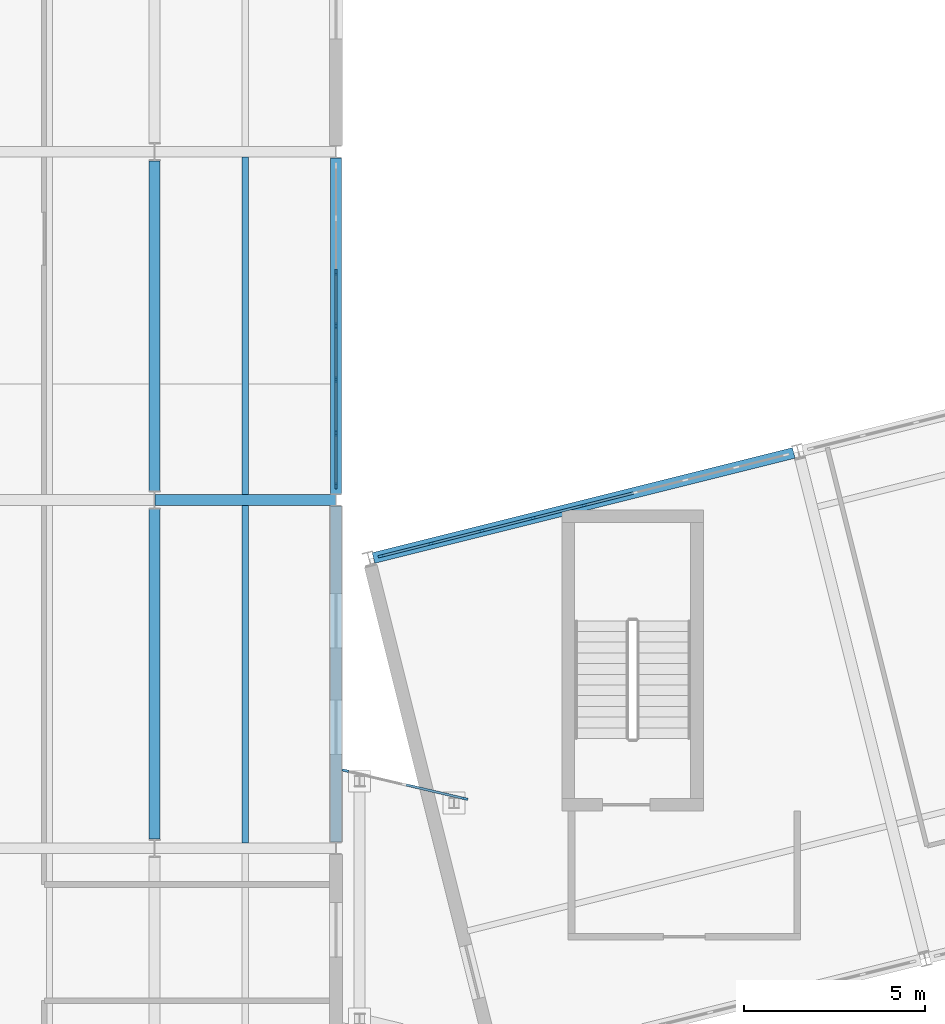
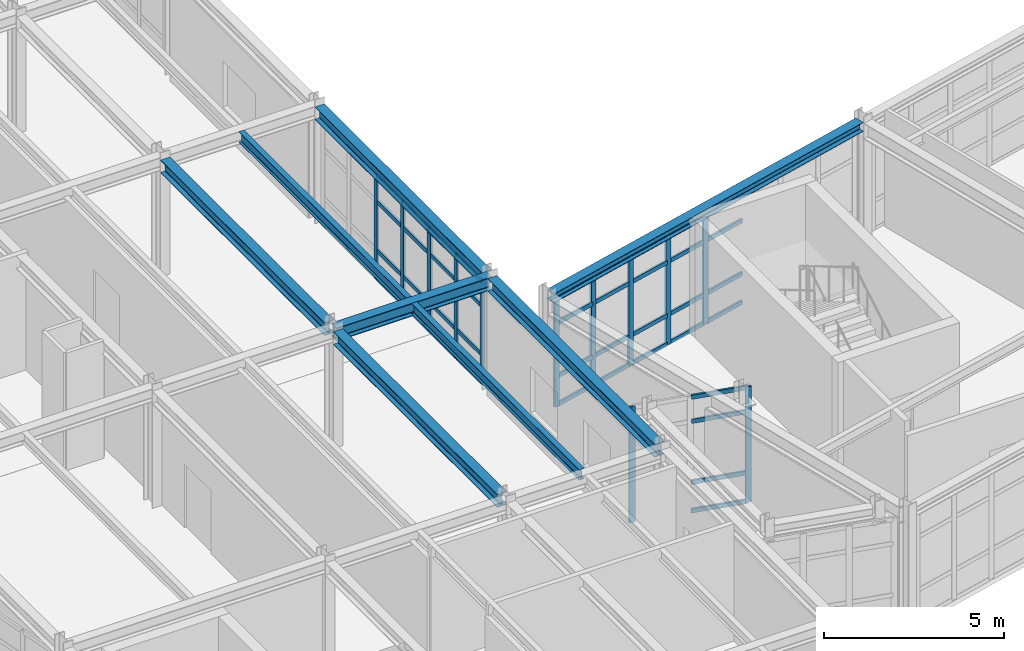
# One storey, part 17 of 76: 51 members, 8 beams, 3 elements without a shape of their own.
"""IFC4 building model written with IfcOpenShell, lengths in metres."""

from ifc_helpers import new_model, si_unit, direction, frame, origin, origin_2d, place, context, subcontext, project, spatial, rectangle, i_section, extrude, material, layer, layer_set, material_profile, profile_set, type_object, element, aggregate, save


model = new_model("IFC4")

# Units and contexts
model_context = context("Model", 3, precision=1e-05, world=origin(), true_north=direction((0.0, 1.0)))
body_context = subcontext(model_context, "Body", "Model", "MODEL_VIEW")
ifc_project = project(units=[si_unit("LENGTHUNIT", "METRE"), si_unit("AREAUNIT", "SQUARE_METRE"), si_unit("VOLUMEUNIT", "CUBIC_METRE"), si_unit("PLANEANGLEUNIT", "RADIAN"), si_unit("MASSUNIT", "GRAM", prefix="KILO")], contexts=[model_context])

# Site, building, storey
site_placement = place(None, origin())
site = spatial("IfcSite", under=ifc_project, at=site_placement, CompositionType="ELEMENT")
building_placement = place(site_placement, origin())
building = spatial("IfcBuilding", under=site, at=building_placement, Name="Nordkorset Police Headquarters", CompositionType="ELEMENT")
storey_placement = place(building_placement, frame((0.0, 0.0, 13.64990234375)))
storey = spatial("IfcBuildingStorey", under=building, at=storey_placement, Name="L03", CompositionType="ELEMENT", Elevation=13.64990234375)

# Beams
ifc_material_1 = material(Name="Steel S355J2", Category="steel")
ifc_material_profile_1 = material_profile(ifc_material_1, i_section(OverallWidth=0.169921875, OverallDepth=0.360107421875, WebThickness=0.008056640625, FlangeThickness=0.0126953125, FilletRadius=0.01806640625, at=origin_2d()), Name="IPE 360")
ifc_profile_set_1 = profile_set([ifc_material_profile_1], Name="Steel S355J2")
beam_type_1 = type_object("IfcBeamType", Name="Beam_IPE_360", PredefinedType="BEAM", material=ifc_profile_set_1)
for number, where, z_axis, x_axis, name in (
    (1, (16.699951171875, 48.14990234375, 3.78515625), (0.0, 1.0, 0.0), (-1.0, 0.0, 0.0), "Composite Floor Beam V3 L03 2-2-1"),
    (2, (16.699951171875, 57.75, 3.78515625), (0.0, 1.0, 0.0), (-1.0, 0.0, 0.0), "Composite Floor Beam V3 L03 2-3-1"),
):
    element("IfcBeam", number, at=place(storey_placement, frame(where, z_axis=z_axis, x_axis=x_axis)), inside=storey, type_object=beam_type_1, Name=name, PredefinedType="BEAM", context=body_context, shape_type="SweptSolid", body=[
        extrude(i_section(OverallWidth=0.169921875, OverallDepth=0.360107421875, WebThickness=0.008056640625, FlangeThickness=0.0126953125, FilletRadius=0.01806640625, at=origin_2d()), origin(), (0.0, 0.0, 1.0), 9.300048828125),
    ])

# Curtain wall, members
ifc_material_2 = material(Name="Aluminium alloy AW-6060", Category="aluminium")
ifc_layer_1 = layer(ifc_material_2, 0.179931640625, Name="Aluminium alloy AW-6060")
ifc_layer_set_1 = layer_set([ifc_layer_1], Name="Aluminium alloy AW-6060")
curtain_wall_type_1 = type_object("IfcCurtainWallType", Name="CW_Unit_888x350", PredefinedType="USERDEFINED", material=ifc_layer_set_1)
curtain_wall_1_placement = place(storey_placement, origin())
curtain_wall_1 = element("IfcCurtainWall", 3, at=curtain_wall_1_placement, inside=storey, type_object=curtain_wall_type_1, Name="Unitised Curtain Wall L03 V3E-3", ObjectType="UNITISED CURTAIN WALL", PredefinedType="USERDEFINED")
ifc_material_3 = material(Name="Aluminium alloy AW-6060", Category="aluminium")
ifc_material_profile_2 = material_profile(ifc_material_3, rectangle(XDim=0.06494140625, YDim=0.179931640625, at=origin_2d()), Name="ALU MULL 65x180")
ifc_profile_set_2 = profile_set([ifc_material_profile_2], Name="Aluminium alloy AW-6060")
member_type_1 = type_object("IfcMemberType", Name="CW_Mullion_65x180", PredefinedType="MULLION", material=ifc_profile_set_2)
member_1_placement = place(storey_placement, frame((19.199951171875, 57.992431640625, 0.0), z_axis=(0.0, 0.0, 1.0), x_axis=(-1.0, 0.0, 0.0)))
member_1 = element("IfcMember", 4, at=member_1_placement, type_object=member_type_1, Name="CW-95 mullion 1", PredefinedType="MULLION", context=body_context, shape_type="SweptSolid", body=[
    extrude(rectangle(XDim=0.06494140625, YDim=0.179931640625, at=origin_2d()), origin(), (0.0, 0.0, 1.0), 3.505126953125),
])
member_2_placement = place(storey_placement, frame((19.199951171875, 59.43994140625, 0.0), z_axis=(0.0, 0.0, 1.0), x_axis=(-1.0, 0.0, 0.0)))
member_2 = element("IfcMember", 5, at=member_2_placement, type_object=member_type_1, Name="CW-95 mullion 2", PredefinedType="MULLION", context=body_context, shape_type="SweptSolid", body=[
    extrude(rectangle(XDim=0.06494140625, YDim=0.179931640625, at=origin_2d()), origin(), (0.0, 0.0, 1.0), 3.505126953125),
])
member_3_placement = place(storey_placement, frame((19.199951171875, 60.919921875, 0.0), z_axis=(0.0, 0.0, 1.0), x_axis=(-1.0, 0.0, 0.0)))
member_3 = element("IfcMember", 6, at=member_3_placement, type_object=member_type_1, Name="CW-95 mullion 3", PredefinedType="MULLION", context=body_context, shape_type="SweptSolid", body=[
    extrude(rectangle(XDim=0.06494140625, YDim=0.179931640625, at=origin_2d()), origin(), (0.0, 0.0, 1.0), 3.505126953125),
])
member_4_placement = place(storey_placement, frame((19.199951171875, 62.39990234375, 0.0), z_axis=(0.0, 0.0, 1.0), x_axis=(-1.0, 0.0, 0.0)))
member_4 = element("IfcMember", 7, at=member_4_placement, type_object=member_type_1, Name="CW-95 mullion 4", PredefinedType="MULLION", context=body_context, shape_type="SweptSolid", body=[
    extrude(rectangle(XDim=0.06494140625, YDim=0.179931640625, at=origin_2d()), origin(), (0.0, 0.0, 1.0), 3.505126953125),
])
member_5_placement = place(storey_placement, frame((19.199951171875, 63.8798828125, 0.0), z_axis=(0.0, 0.0, 1.0), x_axis=(-1.0, 0.0, 0.0)))
member_5 = element("IfcMember", 8, at=member_5_placement, type_object=member_type_1, Name="CW-95 mullion 5", PredefinedType="MULLION", context=body_context, shape_type="SweptSolid", body=[
    extrude(rectangle(XDim=0.06494140625, YDim=0.179931640625, at=origin_2d()), origin(), (0.0, 0.0, 1.0), 3.505126953125),
])

ifc_material_4 = material(Name="Aluminium alloy AW-6060", Category="aluminium")
ifc_layer_2 = layer(ifc_material_4, 0.179931640625, Name="Aluminium alloy AW-6060")
ifc_layer_set_2 = layer_set([ifc_layer_2], Name="Aluminium alloy AW-6060")
curtain_wall_type_2 = type_object("IfcCurtainWallType", Name="CW_Unit_1156x365", PredefinedType="USERDEFINED", material=ifc_layer_set_2)
curtain_wall_2_placement = place(storey_placement, origin())
curtain_wall_2 = element("IfcCurtainWall", 9, at=curtain_wall_2_placement, inside=storey, type_object=curtain_wall_type_2, Name="Unitised Curtain Wall L03 V4N-0", ObjectType="UNITISED CURTAIN WALL", PredefinedType="USERDEFINED")
member_6_placement = place(storey_placement, frame((20.449462890625, 56.0556640625, 0.0), z_axis=(0.0, 0.0, 1.0), x_axis=(-0.242536235663, 0.970142347489, 0.0)))
member_6 = element("IfcMember", 10, at=member_6_placement, type_object=member_type_1, Name="CW-38 mullion 1", PredefinedType="MULLION", context=body_context, shape_type="SweptSolid", body=[
    extrude(rectangle(XDim=0.06494140625, YDim=0.179931640625, at=origin_2d()), origin(), (0.0, 0.0, 1.0), 3.650146484375),
])
member_7_placement = place(storey_placement, frame((21.81982421875, 56.398193359375, 0.0), z_axis=(0.0, 0.0, 1.0), x_axis=(-0.242536235663, 0.970142347489, 0.0)))
member_7 = element("IfcMember", 11, at=member_7_placement, type_object=member_type_1, Name="CW-38 mullion 2", PredefinedType="MULLION", context=body_context, shape_type="SweptSolid", body=[
    extrude(rectangle(XDim=0.06494140625, YDim=0.179931640625, at=origin_2d()), origin(), (0.0, 0.0, 1.0), 3.650146484375),
])
member_8_placement = place(storey_placement, frame((23.2216796875, 56.74853515625, 0.0), z_axis=(0.0, 0.0, 1.0), x_axis=(-0.242536235663, 0.970142347489, 0.0)))
member_8 = element("IfcMember", 12, at=member_8_placement, type_object=member_type_1, Name="CW-38 mullion 3", PredefinedType="MULLION", context=body_context, shape_type="SweptSolid", body=[
    extrude(rectangle(XDim=0.06494140625, YDim=0.179931640625, at=origin_2d()), origin(), (0.0, 0.0, 1.0), 3.650146484375),
])
member_9_placement = place(storey_placement, frame((24.62353515625, 57.09912109375, 0.0), z_axis=(0.0, 0.0, 1.0), x_axis=(-0.242536235663, 0.970142347489, 0.0)))
member_9 = element("IfcMember", 13, at=member_9_placement, type_object=member_type_1, Name="CW-38 mullion 4", PredefinedType="MULLION", context=body_context, shape_type="SweptSolid", body=[
    extrude(rectangle(XDim=0.06494140625, YDim=0.179931640625, at=origin_2d()), origin(), (0.0, 0.0, 1.0), 3.650146484375),
])
member_10_placement = place(storey_placement, frame((26.025390625, 57.449462890625, 0.0), z_axis=(0.0, 0.0, 1.0), x_axis=(-0.242536235663, 0.970142347489, 0.0)))
member_10 = element("IfcMember", 14, at=member_10_placement, type_object=member_type_1, Name="CW-38 mullion 5", PredefinedType="MULLION", context=body_context, shape_type="SweptSolid", body=[
    extrude(rectangle(XDim=0.06494140625, YDim=0.179931640625, at=origin_2d()), origin(), (0.0, 0.0, 1.0), 3.650146484375),
])

ifc_material_5 = material(Name="Aluminium alloy AW-6060", Category="aluminium")
ifc_layer_3 = layer(ifc_material_5, 0.179931640625, Name="Aluminium alloy AW-6060")
ifc_layer_set_3 = layer_set([ifc_layer_3], Name="Aluminium alloy AW-6060")
curtain_wall_type_3 = type_object("IfcCurtainWallType", Name="CW_Unit_344x392", PredefinedType="USERDEFINED", material=ifc_layer_set_3)
curtain_wall_3_placement = place(storey_placement, origin())
curtain_wall_3 = element("IfcCurtainWall", 15, at=curtain_wall_3_placement, inside=storey, type_object=curtain_wall_type_3, Name="Unitised Curtain Wall L03 BRGW-N", ObjectType="UNITISED CURTAIN WALL", PredefinedType="USERDEFINED")
member_11_placement = place(storey_placement, frame((19.456787109375, 50.141357421875, 0.0), z_axis=(0.0, 0.0, 1.0), x_axis=(0.228892896387, 0.973451612554, 0.0)))
member_11 = element("IfcMember", 16, at=member_11_placement, type_object=member_type_1, Name="CW-51 mullion 1", PredefinedType="MULLION", context=body_context, shape_type="SweptSolid", body=[
    extrude(rectangle(XDim=0.06494140625, YDim=0.179931640625, at=origin_2d()), origin(), (0.0, 0.0, 1.0), 3.920166015625),
])
member_12_placement = place(storey_placement, frame((22.7431640625, 49.36865234375, 0.0), z_axis=(0.0, 0.0, 1.0), x_axis=(0.228892896387, 0.973451612554, 0.0)))
member_12 = element("IfcMember", 17, at=member_12_placement, type_object=member_type_1, Name="CW-51 mullion 3", PredefinedType="MULLION", context=body_context, shape_type="SweptSolid", body=[
    extrude(rectangle(XDim=0.06494140625, YDim=0.179931640625, at=origin_2d()), origin(), (0.0, 0.0, 1.0), 3.920166015625),
])

# Member
ifc_material_6 = material(Name="Aluminium alloy AW-6060", Category="aluminium")
ifc_material_profile_3 = material_profile(ifc_material_6, rectangle(XDim=0.06494140625, YDim=0.139892578125, at=origin_2d()), Name="ALU TRAN 65x140")
ifc_profile_set_3 = profile_set([ifc_material_profile_3], Name="Aluminium alloy AW-6060")
member_type_2 = type_object("IfcMemberType", Name="CW_Transom_65x140", PredefinedType="USERDEFINED", material=ifc_profile_set_3)
member_13_placement = place(storey_placement, frame((19.199951171875, 58.02490234375, 0.03271484375), z_axis=(0.0, 1.0, 0.0), x_axis=(-1.0, 0.0, 0.0)))
member_13 = element("IfcMember", 18, at=member_13_placement, type_object=member_type_2, Name="CW-95 transom 1.1", ObjectType="TRANSOM", PredefinedType="USERDEFINED", context=body_context, shape_type="SweptSolid", body=[
    extrude(rectangle(XDim=0.06494140625, YDim=0.139892578125, at=origin_2d()), origin(), (0.0, 0.0, 1.0), 1.382568359375),
])

member_14_placement = place(storey_placement, frame((19.199951171875, 58.02490234375, 1.0), z_axis=(0.0, 1.0, 0.0), x_axis=(-1.0, 0.0, 0.0)))
member_14 = element("IfcMember", 19, at=member_14_placement, type_object=member_type_2, Name="CW-95 transom 1.2", ObjectType="TRANSOM", PredefinedType="USERDEFINED", context=body_context, shape_type="SweptSolid", body=[
    extrude(rectangle(XDim=0.06494140625, YDim=0.139892578125, at=origin_2d()), origin(), (0.0, 0.0, 1.0), 1.382568359375),
])

member_15_placement = place(storey_placement, frame((19.199951171875, 58.02490234375, 2.655029296875), z_axis=(0.0, 1.0, 0.0), x_axis=(-1.0, 0.0, 0.0)))
member_15 = element("IfcMember", 20, at=member_15_placement, type_object=member_type_2, Name="CW-95 transom 1.3", ObjectType="TRANSOM", PredefinedType="USERDEFINED", context=body_context, shape_type="SweptSolid", body=[
    extrude(rectangle(XDim=0.06494140625, YDim=0.139892578125, at=origin_2d()), origin(), (0.0, 0.0, 1.0), 1.382568359375),
])

member_16_placement = place(storey_placement, frame((19.199951171875, 58.02490234375, 3.47265625), z_axis=(0.0, 1.0, 0.0), x_axis=(-1.0, 0.0, 0.0)))
member_16 = element("IfcMember", 21, at=member_16_placement, type_object=member_type_2, Name="CW-95 transom 1.4", ObjectType="TRANSOM", PredefinedType="USERDEFINED", context=body_context, shape_type="SweptSolid", body=[
    extrude(rectangle(XDim=0.06494140625, YDim=0.139892578125, at=origin_2d()), origin(), (0.0, 0.0, 1.0), 1.382568359375),
])

member_17_placement = place(storey_placement, frame((19.199951171875, 59.472412109375, 0.03271484375), z_axis=(0.0, 1.0, 0.0), x_axis=(-1.0, 0.0, 0.0)))
member_17 = element("IfcMember", 22, at=member_17_placement, type_object=member_type_2, Name="CW-95 transom 2.1", ObjectType="TRANSOM", PredefinedType="USERDEFINED", context=body_context, shape_type="SweptSolid", body=[
    extrude(rectangle(XDim=0.06494140625, YDim=0.139892578125, at=origin_2d()), origin(), (0.0, 0.0, 1.0), 1.4150390625),
])

member_18_placement = place(storey_placement, frame((19.199951171875, 59.472412109375, 1.0), z_axis=(0.0, 1.0, 0.0), x_axis=(-1.0, 0.0, 0.0)))
member_18 = element("IfcMember", 23, at=member_18_placement, type_object=member_type_2, Name="CW-95 transom 2.2", ObjectType="TRANSOM", PredefinedType="USERDEFINED", context=body_context, shape_type="SweptSolid", body=[
    extrude(rectangle(XDim=0.06494140625, YDim=0.139892578125, at=origin_2d()), origin(), (0.0, 0.0, 1.0), 1.4150390625),
])

member_19_placement = place(storey_placement, frame((19.199951171875, 59.472412109375, 2.655029296875), z_axis=(0.0, 1.0, 0.0), x_axis=(-1.0, 0.0, 0.0)))
member_19 = element("IfcMember", 24, at=member_19_placement, type_object=member_type_2, Name="CW-95 transom 2.3", ObjectType="TRANSOM", PredefinedType="USERDEFINED", context=body_context, shape_type="SweptSolid", body=[
    extrude(rectangle(XDim=0.06494140625, YDim=0.139892578125, at=origin_2d()), origin(), (0.0, 0.0, 1.0), 1.4150390625),
])

member_20_placement = place(storey_placement, frame((19.199951171875, 59.472412109375, 3.47265625), z_axis=(0.0, 1.0, 0.0), x_axis=(-1.0, 0.0, 0.0)))
member_20 = element("IfcMember", 25, at=member_20_placement, type_object=member_type_2, Name="CW-95 transom 2.4", ObjectType="TRANSOM", PredefinedType="USERDEFINED", context=body_context, shape_type="SweptSolid", body=[
    extrude(rectangle(XDim=0.06494140625, YDim=0.139892578125, at=origin_2d()), origin(), (0.0, 0.0, 1.0), 1.4150390625),
])

member_21_placement = place(storey_placement, frame((19.199951171875, 60.952392578125, 0.03271484375), z_axis=(0.0, 1.0, 0.0), x_axis=(-1.0, 0.0, 0.0)))
member_21 = element("IfcMember", 26, at=member_21_placement, type_object=member_type_2, Name="CW-95 transom 3.1", ObjectType="TRANSOM", PredefinedType="USERDEFINED", context=body_context, shape_type="SweptSolid", body=[
    extrude(rectangle(XDim=0.06494140625, YDim=0.139892578125, at=origin_2d()), origin(), (0.0, 0.0, 1.0), 1.4150390625),
])

member_22_placement = place(storey_placement, frame((19.199951171875, 60.952392578125, 1.0), z_axis=(0.0, 1.0, 0.0), x_axis=(-1.0, 0.0, 0.0)))
member_22 = element("IfcMember", 27, at=member_22_placement, type_object=member_type_2, Name="CW-95 transom 3.2", ObjectType="TRANSOM", PredefinedType="USERDEFINED", context=body_context, shape_type="SweptSolid", body=[
    extrude(rectangle(XDim=0.06494140625, YDim=0.139892578125, at=origin_2d()), origin(), (0.0, 0.0, 1.0), 1.4150390625),
])

member_23_placement = place(storey_placement, frame((19.199951171875, 60.952392578125, 2.655029296875), z_axis=(0.0, 1.0, 0.0), x_axis=(-1.0, 0.0, 0.0)))
member_23 = element("IfcMember", 28, at=member_23_placement, type_object=member_type_2, Name="CW-95 transom 3.3", ObjectType="TRANSOM", PredefinedType="USERDEFINED", context=body_context, shape_type="SweptSolid", body=[
    extrude(rectangle(XDim=0.06494140625, YDim=0.139892578125, at=origin_2d()), origin(), (0.0, 0.0, 1.0), 1.4150390625),
])

member_24_placement = place(storey_placement, frame((19.199951171875, 60.952392578125, 3.47265625), z_axis=(0.0, 1.0, 0.0), x_axis=(-1.0, 0.0, 0.0)))
member_24 = element("IfcMember", 29, at=member_24_placement, type_object=member_type_2, Name="CW-95 transom 3.4", ObjectType="TRANSOM", PredefinedType="USERDEFINED", context=body_context, shape_type="SweptSolid", body=[
    extrude(rectangle(XDim=0.06494140625, YDim=0.139892578125, at=origin_2d()), origin(), (0.0, 0.0, 1.0), 1.4150390625),
])

member_25_placement = place(storey_placement, frame((19.199951171875, 62.4326171875, 0.03271484375), z_axis=(0.0, 1.0, 0.0), x_axis=(-1.0, 0.0, 0.0)))
member_25 = element("IfcMember", 30, at=member_25_placement, type_object=member_type_2, Name="CW-95 transom 4.1", ObjectType="TRANSOM", PredefinedType="USERDEFINED", context=body_context, shape_type="SweptSolid", body=[
    extrude(rectangle(XDim=0.06494140625, YDim=0.139892578125, at=origin_2d()), origin(), (0.0, 0.0, 1.0), 1.414794921875),
])

member_26_placement = place(storey_placement, frame((19.199951171875, 62.4326171875, 1.0), z_axis=(0.0, 1.0, 0.0), x_axis=(-1.0, 0.0, 0.0)))
member_26 = element("IfcMember", 31, at=member_26_placement, type_object=member_type_2, Name="CW-95 transom 4.2", ObjectType="TRANSOM", PredefinedType="USERDEFINED", context=body_context, shape_type="SweptSolid", body=[
    extrude(rectangle(XDim=0.06494140625, YDim=0.139892578125, at=origin_2d()), origin(), (0.0, 0.0, 1.0), 1.414794921875),
])

member_27_placement = place(storey_placement, frame((19.199951171875, 62.4326171875, 2.655029296875), z_axis=(0.0, 1.0, 0.0), x_axis=(-1.0, 0.0, 0.0)))
member_27 = element("IfcMember", 32, at=member_27_placement, type_object=member_type_2, Name="CW-95 transom 4.3", ObjectType="TRANSOM", PredefinedType="USERDEFINED", context=body_context, shape_type="SweptSolid", body=[
    extrude(rectangle(XDim=0.06494140625, YDim=0.139892578125, at=origin_2d()), origin(), (0.0, 0.0, 1.0), 1.414794921875),
])

member_28_placement = place(storey_placement, frame((19.199951171875, 62.4326171875, 3.47265625), z_axis=(0.0, 1.0, 0.0), x_axis=(-1.0, 0.0, 0.0)))
member_28 = element("IfcMember", 33, at=member_28_placement, type_object=member_type_2, Name="CW-95 transom 4.4", ObjectType="TRANSOM", PredefinedType="USERDEFINED", context=body_context, shape_type="SweptSolid", body=[
    extrude(rectangle(XDim=0.06494140625, YDim=0.139892578125, at=origin_2d()), origin(), (0.0, 0.0, 1.0), 1.414794921875),
])

aggregate(curtain_wall_1, [member_1, member_2, member_3, member_4, member_5, member_13, member_14, member_15, member_16, member_17, member_18, member_19, member_20, member_21, member_22, member_23, member_24, member_25, member_26, member_27, member_28])

member_29_placement = place(storey_placement, frame((20.48095703125, 56.0634765625, 0.03271484375), z_axis=(0.970174463193, 0.242407737022, 0.0), x_axis=(-0.242407737022, 0.970174463193, 0.0)))
member_29 = element("IfcMember", 34, at=member_29_placement, type_object=member_type_2, Name="CW-38 transom 1.1", ObjectType="TRANSOM", PredefinedType="USERDEFINED", context=body_context, shape_type="SweptSolid", body=[
    extrude(rectangle(XDim=0.06494140625, YDim=0.139892578125, at=origin_2d()), origin(), (0.0, 0.0, 1.0), 1.34765625),
])

member_30_placement = place(storey_placement, frame((20.48095703125, 56.0634765625, 1.0), z_axis=(0.970174463193, 0.242407737022, 0.0), x_axis=(-0.242407737022, 0.970174463193, 0.0)))
member_30 = element("IfcMember", 35, at=member_30_placement, type_object=member_type_2, Name="CW-38 transom 1.2", ObjectType="TRANSOM", PredefinedType="USERDEFINED", context=body_context, shape_type="SweptSolid", body=[
    extrude(rectangle(XDim=0.06494140625, YDim=0.139892578125, at=origin_2d()), origin(), (0.0, 0.0, 1.0), 1.34765625),
])

member_31_placement = place(storey_placement, frame((20.48095703125, 56.0634765625, 2.800048828125), z_axis=(0.970174463193, 0.242407737022, 0.0), x_axis=(-0.242407737022, 0.970174463193, 0.0)))
member_31 = element("IfcMember", 36, at=member_31_placement, type_object=member_type_2, Name="CW-38 transom 1.3", ObjectType="TRANSOM", PredefinedType="USERDEFINED", context=body_context, shape_type="SweptSolid", body=[
    extrude(rectangle(XDim=0.06494140625, YDim=0.139892578125, at=origin_2d()), origin(), (0.0, 0.0, 1.0), 1.34765625),
])

member_32_placement = place(storey_placement, frame((20.48095703125, 56.0634765625, 3.61767578125), z_axis=(0.970174463193, 0.242407737022, 0.0), x_axis=(-0.242407737022, 0.970174463193, 0.0)))
member_32 = element("IfcMember", 37, at=member_32_placement, type_object=member_type_2, Name="CW-38 transom 1.4", ObjectType="TRANSOM", PredefinedType="USERDEFINED", context=body_context, shape_type="SweptSolid", body=[
    extrude(rectangle(XDim=0.06494140625, YDim=0.139892578125, at=origin_2d()), origin(), (0.0, 0.0, 1.0), 1.34765625),
])

member_33_placement = place(storey_placement, frame((21.851318359375, 56.406005859375, 0.03271484375), z_axis=(0.970142500145, 0.242535625036, 0.0), x_axis=(-0.242535625036, 0.970142500145, 0.0)))
member_33 = element("IfcMember", 38, at=member_33_placement, type_object=member_type_2, Name="CW-38 transom 2.1", ObjectType="TRANSOM", PredefinedType="USERDEFINED", context=body_context, shape_type="SweptSolid", body=[
    extrude(rectangle(XDim=0.06494140625, YDim=0.139892578125, at=origin_2d()), origin(), (0.0, 0.0, 1.0), 1.380126953125),
])

member_34_placement = place(storey_placement, frame((21.851318359375, 56.406005859375, 1.0), z_axis=(0.970142500145, 0.242535625036, 0.0), x_axis=(-0.242535625036, 0.970142500145, 0.0)))
member_34 = element("IfcMember", 39, at=member_34_placement, type_object=member_type_2, Name="CW-38 transom 2.2", ObjectType="TRANSOM", PredefinedType="USERDEFINED", context=body_context, shape_type="SweptSolid", body=[
    extrude(rectangle(XDim=0.06494140625, YDim=0.139892578125, at=origin_2d()), origin(), (0.0, 0.0, 1.0), 1.380126953125),
])

member_35_placement = place(storey_placement, frame((21.851318359375, 56.406005859375, 2.800048828125), z_axis=(0.970142500145, 0.242535625036, 0.0), x_axis=(-0.242535625036, 0.970142500145, 0.0)))
member_35 = element("IfcMember", 40, at=member_35_placement, type_object=member_type_2, Name="CW-38 transom 2.3", ObjectType="TRANSOM", PredefinedType="USERDEFINED", context=body_context, shape_type="SweptSolid", body=[
    extrude(rectangle(XDim=0.06494140625, YDim=0.139892578125, at=origin_2d()), origin(), (0.0, 0.0, 1.0), 1.380126953125),
])

member_36_placement = place(storey_placement, frame((21.851318359375, 56.406005859375, 3.61767578125), z_axis=(0.970142500145, 0.242535625036, 0.0), x_axis=(-0.242535625036, 0.970142500145, 0.0)))
member_36 = element("IfcMember", 41, at=member_36_placement, type_object=member_type_2, Name="CW-38 transom 2.4", ObjectType="TRANSOM", PredefinedType="USERDEFINED", context=body_context, shape_type="SweptSolid", body=[
    extrude(rectangle(XDim=0.06494140625, YDim=0.139892578125, at=origin_2d()), origin(), (0.0, 0.0, 1.0), 1.380126953125),
])

member_37_placement = place(storey_placement, frame((23.253173828125, 56.756591796875, 0.03271484375), z_axis=(0.970184112154, 0.242369116275, 0.0), x_axis=(-0.242369116275, 0.970184112154, 0.0)))
member_37 = element("IfcMember", 42, at=member_37_placement, type_object=member_type_2, Name="CW-38 transom 3.1", ObjectType="TRANSOM", PredefinedType="USERDEFINED", context=body_context, shape_type="SweptSolid", body=[
    extrude(rectangle(XDim=0.06494140625, YDim=0.139892578125, at=origin_2d()), origin(), (0.0, 0.0, 1.0), 1.380126953125),
])

member_38_placement = place(storey_placement, frame((23.253173828125, 56.756591796875, 1.0), z_axis=(0.970184112154, 0.242369116275, 0.0), x_axis=(-0.242369116275, 0.970184112154, 0.0)))
member_38 = element("IfcMember", 43, at=member_38_placement, type_object=member_type_2, Name="CW-38 transom 3.2", ObjectType="TRANSOM", PredefinedType="USERDEFINED", context=body_context, shape_type="SweptSolid", body=[
    extrude(rectangle(XDim=0.06494140625, YDim=0.139892578125, at=origin_2d()), origin(), (0.0, 0.0, 1.0), 1.380126953125),
])

member_39_placement = place(storey_placement, frame((23.253173828125, 56.756591796875, 2.800048828125), z_axis=(0.970184112154, 0.242369116275, 0.0), x_axis=(-0.242369116275, 0.970184112154, 0.0)))
member_39 = element("IfcMember", 44, at=member_39_placement, type_object=member_type_2, Name="CW-38 transom 3.3", ObjectType="TRANSOM", PredefinedType="USERDEFINED", context=body_context, shape_type="SweptSolid", body=[
    extrude(rectangle(XDim=0.06494140625, YDim=0.139892578125, at=origin_2d()), origin(), (0.0, 0.0, 1.0), 1.380126953125),
])

member_40_placement = place(storey_placement, frame((23.253173828125, 56.756591796875, 3.61767578125), z_axis=(0.970184112154, 0.242369116275, 0.0), x_axis=(-0.242369116275, 0.970184112154, 0.0)))
member_40 = element("IfcMember", 45, at=member_40_placement, type_object=member_type_2, Name="CW-38 transom 3.4", ObjectType="TRANSOM", PredefinedType="USERDEFINED", context=body_context, shape_type="SweptSolid", body=[
    extrude(rectangle(XDim=0.06494140625, YDim=0.139892578125, at=origin_2d()), origin(), (0.0, 0.0, 1.0), 1.380126953125),
])

member_41_placement = place(storey_placement, frame((24.655029296875, 57.10693359375, 0.03271484375), z_axis=(0.970142500145, 0.242535625036, 0.0), x_axis=(-0.242535625036, 0.970142500145, 0.0)))
member_41 = element("IfcMember", 46, at=member_41_placement, type_object=member_type_2, Name="CW-38 transom 4.1", ObjectType="TRANSOM", PredefinedType="USERDEFINED", context=body_context, shape_type="SweptSolid", body=[
    extrude(rectangle(XDim=0.06494140625, YDim=0.139892578125, at=origin_2d()), origin(), (0.0, 0.0, 1.0), 1.380126953125),
])

member_42_placement = place(storey_placement, frame((24.655029296875, 57.10693359375, 1.0), z_axis=(0.970142500145, 0.242535625036, 0.0), x_axis=(-0.242535625036, 0.970142500145, 0.0)))
member_42 = element("IfcMember", 47, at=member_42_placement, type_object=member_type_2, Name="CW-38 transom 4.2", ObjectType="TRANSOM", PredefinedType="USERDEFINED", context=body_context, shape_type="SweptSolid", body=[
    extrude(rectangle(XDim=0.06494140625, YDim=0.139892578125, at=origin_2d()), origin(), (0.0, 0.0, 1.0), 1.380126953125),
])

member_43_placement = place(storey_placement, frame((24.655029296875, 57.10693359375, 2.800048828125), z_axis=(0.970142500145, 0.242535625036, 0.0), x_axis=(-0.242535625036, 0.970142500145, 0.0)))
member_43 = element("IfcMember", 48, at=member_43_placement, type_object=member_type_2, Name="CW-38 transom 4.3", ObjectType="TRANSOM", PredefinedType="USERDEFINED", context=body_context, shape_type="SweptSolid", body=[
    extrude(rectangle(XDim=0.06494140625, YDim=0.139892578125, at=origin_2d()), origin(), (0.0, 0.0, 1.0), 1.380126953125),
])

member_44_placement = place(storey_placement, frame((24.655029296875, 57.10693359375, 3.61767578125), z_axis=(0.970142500145, 0.242535625036, 0.0), x_axis=(-0.242535625036, 0.970142500145, 0.0)))
member_44 = element("IfcMember", 49, at=member_44_placement, type_object=member_type_2, Name="CW-38 transom 4.4", ObjectType="TRANSOM", PredefinedType="USERDEFINED", context=body_context, shape_type="SweptSolid", body=[
    extrude(rectangle(XDim=0.06494140625, YDim=0.139892578125, at=origin_2d()), origin(), (0.0, 0.0, 1.0), 1.380126953125),
])

member_45_placement = place(storey_placement, frame((26.056884765625, 57.45751953125, 0.03271484375), z_axis=(0.970184112154, 0.242369116275, 0.0), x_axis=(-0.242369116275, 0.970184112154, 0.0)))
member_45 = element("IfcMember", 50, at=member_45_placement, type_object=member_type_2, Name="CW-38 transom 5.1", ObjectType="TRANSOM", PredefinedType="USERDEFINED", context=body_context, shape_type="SweptSolid", body=[
    extrude(rectangle(XDim=0.06494140625, YDim=0.139892578125, at=origin_2d()), origin(), (0.0, 0.0, 1.0), 1.380126953125),
])

member_46_placement = place(storey_placement, frame((26.056884765625, 57.45751953125, 1.0), z_axis=(0.970184112154, 0.242369116275, 0.0), x_axis=(-0.242369116275, 0.970184112154, 0.0)))
member_46 = element("IfcMember", 51, at=member_46_placement, type_object=member_type_2, Name="CW-38 transom 5.2", ObjectType="TRANSOM", PredefinedType="USERDEFINED", context=body_context, shape_type="SweptSolid", body=[
    extrude(rectangle(XDim=0.06494140625, YDim=0.139892578125, at=origin_2d()), origin(), (0.0, 0.0, 1.0), 1.380126953125),
])

member_47_placement = place(storey_placement, frame((26.056884765625, 57.45751953125, 2.800048828125), z_axis=(0.970184112154, 0.242369116275, 0.0), x_axis=(-0.242369116275, 0.970184112154, 0.0)))
member_47 = element("IfcMember", 52, at=member_47_placement, type_object=member_type_2, Name="CW-38 transom 5.3", ObjectType="TRANSOM", PredefinedType="USERDEFINED", context=body_context, shape_type="SweptSolid", body=[
    extrude(rectangle(XDim=0.06494140625, YDim=0.139892578125, at=origin_2d()), origin(), (0.0, 0.0, 1.0), 1.380126953125),
])

aggregate(curtain_wall_2, [member_6, member_7, member_8, member_9, member_10, member_29, member_30, member_31, member_32, member_33, member_34, member_35, member_36, member_37, member_38, member_39, member_40, member_41, member_42, member_43, member_44, member_45, member_46, member_47])

member_48_placement = place(storey_placement, frame((21.131591796875, 49.74755859375, 0.03271484375), z_axis=(0.973436893335, -0.228955486271, 0.0), x_axis=(0.228955486271, 0.973436893335, 0.0)))
member_48 = element("IfcMember", 53, at=member_48_placement, type_object=member_type_2, Name="CW-51 transom 2.1", ObjectType="TRANSOM", PredefinedType="USERDEFINED", context=body_context, shape_type="SweptSolid", body=[
    extrude(rectangle(XDim=0.06494140625, YDim=0.139892578125, at=origin_2d()), origin(), (0.0, 0.0, 1.0), 1.623046875),
])

member_49_placement = place(storey_placement, frame((21.131591796875, 49.74755859375, 1.0), z_axis=(0.973436893335, -0.228955486271, 0.0), x_axis=(0.228955486271, 0.973436893335, 0.0)))
member_49 = element("IfcMember", 54, at=member_49_placement, type_object=member_type_2, Name="CW-51 transom 2.2", ObjectType="TRANSOM", PredefinedType="USERDEFINED", context=body_context, shape_type="SweptSolid", body=[
    extrude(rectangle(XDim=0.06494140625, YDim=0.139892578125, at=origin_2d()), origin(), (0.0, 0.0, 1.0), 1.623046875),
])

member_50_placement = place(storey_placement, frame((21.131591796875, 49.74755859375, 3.070068359375), z_axis=(0.973436893335, -0.228955486271, 0.0), x_axis=(0.228955486271, 0.973436893335, 0.0)))
member_50 = element("IfcMember", 55, at=member_50_placement, type_object=member_type_2, Name="CW-51 transom 2.3", ObjectType="TRANSOM", PredefinedType="USERDEFINED", context=body_context, shape_type="SweptSolid", body=[
    extrude(rectangle(XDim=0.06494140625, YDim=0.139892578125, at=origin_2d()), origin(), (0.0, 0.0, 1.0), 1.623046875),
])

member_51_placement = place(storey_placement, frame((21.131591796875, 49.74755859375, 3.8876953125), z_axis=(0.973436893335, -0.228955486271, 0.0), x_axis=(0.228955486271, 0.973436893335, 0.0)))
member_51 = element("IfcMember", 56, at=member_51_placement, type_object=member_type_2, Name="CW-51 transom 2.4", ObjectType="TRANSOM", PredefinedType="USERDEFINED", context=body_context, shape_type="SweptSolid", body=[
    extrude(rectangle(XDim=0.06494140625, YDim=0.139892578125, at=origin_2d()), origin(), (0.0, 0.0, 1.0), 1.623046875),
])

aggregate(curtain_wall_3, [member_11, member_12, member_48, member_49, member_50, member_51])

# Beams
ifc_material_7 = material(Name="Steel S355J2", Category="steel")
ifc_material_profile_4 = material_profile(ifc_material_7, i_section(OverallWidth=0.300048828125, OverallDepth=0.43994140625, WebThickness=0.011474609375, FlangeThickness=0.02099609375, FilletRadius=0.027099609375, at=origin_2d()), Name="HEA 450")
ifc_profile_set_4 = profile_set([ifc_material_profile_4], Name="Steel S355J2")
beam_type_2 = type_object("IfcBeamType", Name="Girder_HEA_450", PredefinedType="USERDEFINED", material=ifc_profile_set_4)
beam_1_placement = place(storey_placement, frame((14.207275390625, 57.60009765625, 3.7451171875), z_axis=(1.0, 0.0, 0.0), x_axis=(0.0, 1.0, 0.0)))
element("IfcBeam", 57, at=beam_1_placement, inside=storey, type_object=beam_type_2, Name="Girder V3 L03 GX-3-2", ObjectType="GIRDER", PredefinedType="USERDEFINED", context=body_context, shape_type="SweptSolid", body=[
    extrude(i_section(OverallWidth=0.300048828125, OverallDepth=0.43994140625, WebThickness=0.011474609375, FlangeThickness=0.02099609375, FilletRadius=0.027099609375, at=origin_2d()), origin(), (0.0, 0.0, 1.0), 4.98681640625),
])
beam_2_placement = place(storey_placement, frame((14.199951171875, 48.25, 3.7451171875), z_axis=(0.0, 1.0, 0.0), x_axis=(-1.0, 0.0, 0.0)))
element("IfcBeam", 58, at=beam_2_placement, inside=storey, type_object=beam_type_2, Name="Girder V3 L03 GY-2-2", ObjectType="GIRDER", PredefinedType="USERDEFINED", context=body_context, shape_type="SweptSolid", body=[
    extrude(i_section(OverallWidth=0.300048828125, OverallDepth=0.43994140625, WebThickness=0.011474609375, FlangeThickness=0.02099609375, FilletRadius=0.027099609375, at=origin_2d()), origin(), (0.0, 0.0, 1.0), 9.10009765625),
])
beam_3_placement = place(storey_placement, frame((14.199951171875, 57.85009765625, 3.7451171875), z_axis=(0.0, 1.0, 0.0), x_axis=(-1.0, 0.0, 0.0)))
element("IfcBeam", 59, at=beam_3_placement, inside=storey, type_object=beam_type_2, Name="Girder V3 L03 GY-2-3", ObjectType="GIRDER", PredefinedType="USERDEFINED", context=body_context, shape_type="SweptSolid", body=[
    extrude(i_section(OverallWidth=0.300048828125, OverallDepth=0.43994140625, WebThickness=0.011474609375, FlangeThickness=0.02099609375, FilletRadius=0.027099609375, at=origin_2d()), origin(), (0.0, 0.0, 1.0), 9.099853515625),
])
for number, where, z_axis, x_axis, name in (
    (60, (19.199951171875, 48.169921875, 3.7451171875), (0.0, 1.0, 0.0), (-1.0, 0.0, 0.0), "Girder V3 L03 GY-3-2"),
    (61, (19.199951171875, 57.77001953125, 3.7451171875), (0.0, 1.0, 0.0), (-1.0, 0.0, 0.0), "Girder V3 L03 GY-3-3"),
):
    element("IfcBeam", number, at=place(storey_placement, frame(where, z_axis=z_axis, x_axis=x_axis)), inside=storey, type_object=beam_type_2, Name=name, ObjectType="GIRDER", PredefinedType="USERDEFINED", context=body_context, shape_type="SweptSolid", body=[
        extrude(i_section(OverallWidth=0.300048828125, OverallDepth=0.43994140625, WebThickness=0.011474609375, FlangeThickness=0.02099609375, FilletRadius=0.027099609375, at=origin_2d()), origin(), (0.0, 0.0, 1.0), 9.260009765625),
    ])
ifc_material_8 = material(Name="Steel S355J2", Category="steel")
ifc_material_profile_5 = material_profile(ifc_material_8, i_section(OverallWidth=0.300048828125, OverallDepth=0.31005859375, WebThickness=0.009033203125, FlangeThickness=0.015380859375, FilletRadius=0.027099609375, at=origin_2d()), Name="HEA 320")
ifc_profile_set_5 = profile_set([ifc_material_profile_5], Name="Steel S355J2")
beam_type_3 = type_object("IfcBeamType", Name="Spandrel_HEA_320", PredefinedType="SPANDREL", material=ifc_profile_set_5)
beam_4_placement = place(storey_placement, frame((20.233642578125, 56.00146484375, 3.8251953125), z_axis=(0.970140094539, 0.242545247258, 0.0), x_axis=(-0.242545247258, 0.970140094539, 0.0)))
element("IfcBeam", 62, at=beam_4_placement, inside=storey, type_object=beam_type_3, Name="Splayed Wing Spandrel L03 0-1", PredefinedType="SPANDREL", context=body_context, shape_type="SweptSolid", body=[
    extrude(i_section(OverallWidth=0.300048828125, OverallDepth=0.31005859375, WebThickness=0.009033203125, FlangeThickness=0.015380859375, FilletRadius=0.027099609375, at=origin_2d()), origin(), (0.0, 0.0, 1.0), 11.93994140625),
])

save(model, "model.ifc")
